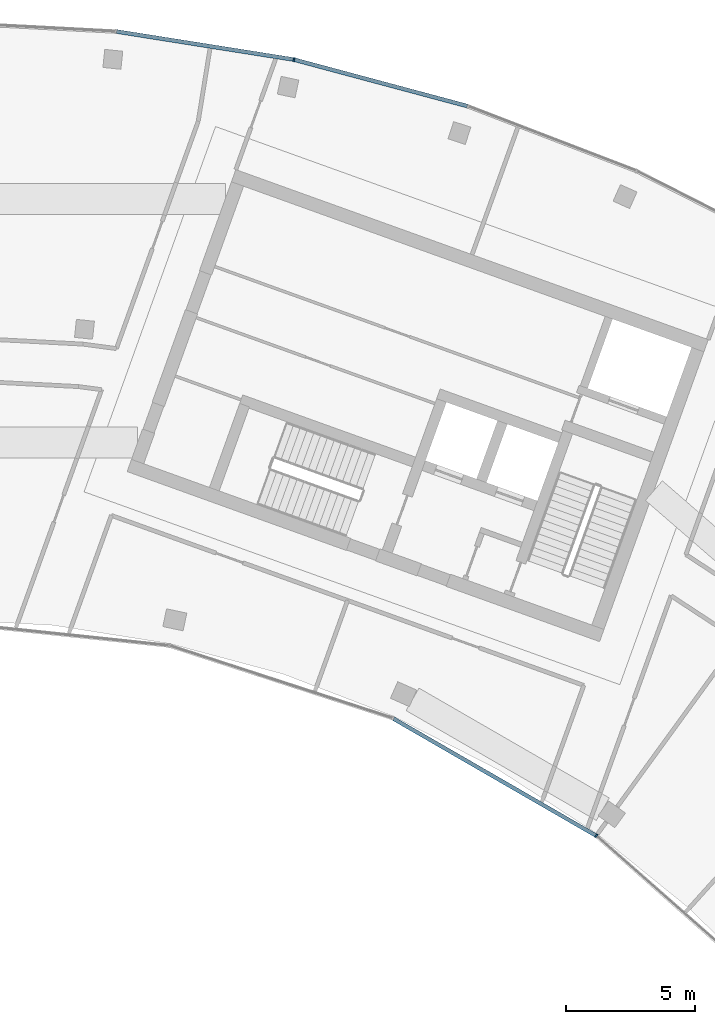
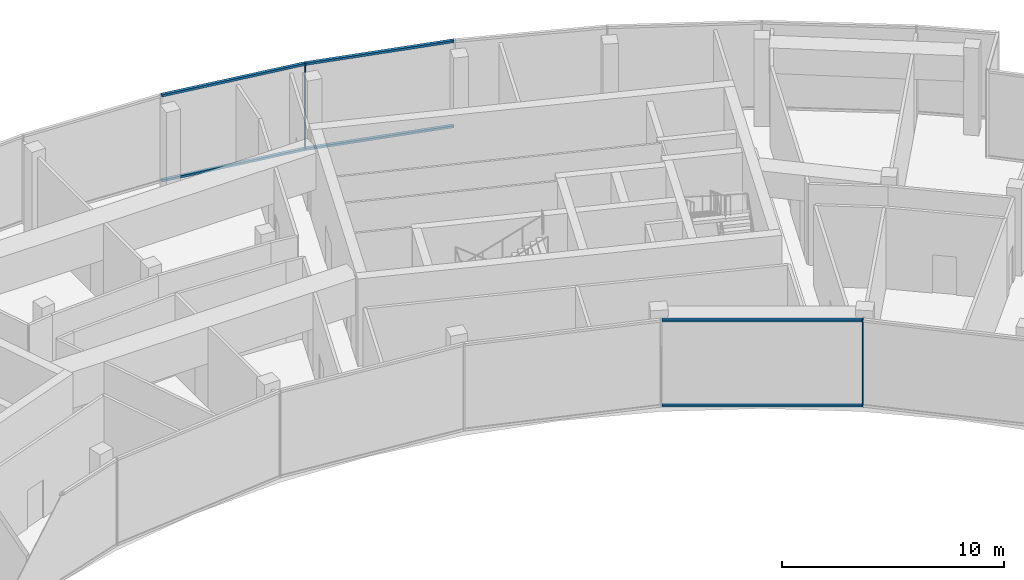
# One storey, part 8 of 17: 8 members, 2 elements without a shape of their own.
"""IFC4 building model written with IfcOpenShell, lengths in metres."""

from ifc_helpers import new_model, si_unit, direction, frame, origin, origin_2d, place, context, subcontext, project, spatial, rectangle, extrude, material, layer, layer_set, material_profile, profile_set, type_object, element, aggregate, save


model = new_model("IFC4")

# Units and contexts
model_context = context("Model", 3, precision=1e-05, world=origin(), true_north=direction((0.0, 1.0)))
body_context = subcontext(model_context, "Body", "Model", "MODEL_VIEW")
ifc_project = project(units=[si_unit("LENGTHUNIT", "METRE"), si_unit("AREAUNIT", "SQUARE_METRE"), si_unit("VOLUMEUNIT", "CUBIC_METRE"), si_unit("PLANEANGLEUNIT", "RADIAN"), si_unit("MASSUNIT", "GRAM", prefix="KILO")], contexts=[model_context])

# Site, building, storey
site_placement = place(None, origin())
site = spatial("IfcSite", under=ifc_project, at=site_placement, CompositionType="ELEMENT")
building_placement = place(site_placement, origin())
building = spatial("IfcBuilding", under=site, at=building_placement, Name="Stone Belt Terrace Tower", CompositionType="ELEMENT")
storey_placement = place(building_placement, frame((0.0, 0.0, 318.199951171875)))
storey = spatial("IfcBuildingStorey", under=building, at=storey_placement, Name="L77", CompositionType="ELEMENT", Elevation=318.199951171875)

# Curtain wall, member
ifc_material = material(Name="Aluminium 6063-T6 anodised frame", Category="aluminium")
ifc_layer = layer(ifc_material, 0.14990234375)
ifc_layer_set = layer_set([ifc_layer], Name="CW-C stick curtain wall, horn ends and notches")
curtain_wall_type = type_object("IfcCurtainWallType", Name="CW-C stick curtain wall, horn ends and notches", PredefinedType="NOTDEFINED", material=ifc_layer_set)
curtain_wall_1_placement = place(storey_placement, origin())
curtain_wall_1 = element("IfcCurtainWall", 1, at=curtain_wall_1_placement, inside=storey, type_object=curtain_wall_type, Name="CW-C concave face L77", PredefinedType="NOTDEFINED")
ifc_material_profile_1 = material_profile(ifc_material, rectangle(XDim=0.14990234375, YDim=0.06005859375, at=origin_2d()), Name="Aluminium 6063-T6 60x150")
ifc_profile_set_1 = profile_set([ifc_material_profile_1], Name="Aluminium 6063-T6 anodised frame")
member_type_1 = type_object("IfcMemberType", Name="CW-C mullion 60 x 150", PredefinedType="MULLION", material=ifc_profile_set_1)
member_1_placement = place(storey_placement, frame((25.524658203125, 35.131103515625, 0.0), z_axis=(0.0, 0.0, 1.0), x_axis=(0.583818854632, 0.811883947973, 0.0)))
member_1 = element("IfcMember", 2, at=member_1_placement, type_object=member_type_1, Name="CW-C mullion 8", PredefinedType="MULLION", context=body_context, shape_type="SweptSolid", body=[
    extrude(rectangle(XDim=0.14990234375, YDim=0.06005859375, at=origin_2d()), origin(), (0.0, 0.0, 1.0), 4.800048828125),
])

curtain_wall_2_placement = place(storey_placement, origin())
curtain_wall_2 = element("IfcCurtainWall", 3, at=curtain_wall_2_placement, inside=storey, type_object=curtain_wall_type, Name="CW-C convex face L77", PredefinedType="NOTDEFINED")
member_2_placement = place(storey_placement, frame((13.841796875, 65.120361328125, 0.0), z_axis=(0.0, 0.0, 1.0), x_axis=(-0.207911690818, -0.978147600734, 0.0)))
member_2 = element("IfcMember", 4, at=member_2_placement, type_object=member_type_1, Name="CW-C mullion 6", PredefinedType="MULLION", context=body_context, shape_type="SweptSolid", body=[
    extrude(rectangle(XDim=0.14990234375, YDim=0.06005859375, at=origin_2d()), origin(), (0.0, 0.0, 1.0), 4.800048828125),
])

# Member
ifc_material_profile_2 = material_profile(ifc_material, rectangle(XDim=0.14990234375, YDim=0.1201171875, at=origin_2d()), Name="Aluminium 6063-T6 150x120")
ifc_profile_set_2 = profile_set([ifc_material_profile_2], Name="Aluminium 6063-T6 anodised frame")
member_type_2 = type_object("IfcMemberType", Name="CW-C transom 120 x 150", PredefinedType="USERDEFINED", material=ifc_profile_set_2)
member_3_placement = place(storey_placement, frame((17.695068359375, 39.651611328125, 0.06005859375), z_axis=(0.866018510292, -0.500011939689, 0.0), x_axis=(0.500011939689, 0.866018510292, 0.0)))
member_3 = element("IfcMember", 5, at=member_3_placement, type_object=member_type_2, Name="CW-C transom 7.1", ObjectType="TRANSOM", PredefinedType="USERDEFINED", context=body_context, shape_type="SweptSolid", body=[
    extrude(rectangle(XDim=0.14990234375, YDim=0.1201171875, at=origin_2d()), origin(), (0.0, 0.0, 1.0), 9.003662109375),
])

member_4_placement = place(storey_placement, frame((17.695068359375, 39.651611328125, 4.739990234375), z_axis=(0.866018510292, -0.500011939689, 0.0), x_axis=(0.500011939689, 0.866018510292, 0.0)))
member_4 = element("IfcMember", 6, at=member_4_placement, type_object=member_type_2, Name="CW-C transom 7.2", ObjectType="TRANSOM", PredefinedType="USERDEFINED", context=body_context, shape_type="SweptSolid", body=[
    extrude(rectangle(XDim=0.14990234375, YDim=0.1201171875, at=origin_2d()), origin(), (0.0, 0.0, 1.0), 9.003662109375),
])

aggregate(curtain_wall_1, [member_1, member_3, member_4])

member_5_placement = place(storey_placement, frame((20.5400390625, 63.325439453125, 0.06005859375), z_axis=(-0.965921835863, 0.258833937117, 0.0), x_axis=(-0.258833937117, -0.965921835863, 0.0)))
member_5 = element("IfcMember", 7, at=member_5_placement, type_object=member_type_2, Name="CW-C transom 5.1", ObjectType="TRANSOM", PredefinedType="USERDEFINED", context=body_context, shape_type="SweptSolid", body=[
    extrude(rectangle(XDim=0.14990234375, YDim=0.1201171875, at=origin_2d()), origin(), (0.0, 0.0, 1.0), 6.900634765625),
])

member_6_placement = place(storey_placement, frame((20.5400390625, 63.325439453125, 4.739990234375), z_axis=(-0.965921835863, 0.258833937117, 0.0), x_axis=(-0.258833937117, -0.965921835863, 0.0)))
member_6 = element("IfcMember", 8, at=member_6_placement, type_object=member_type_2, Name="CW-C transom 5.2", ObjectType="TRANSOM", PredefinedType="USERDEFINED", context=body_context, shape_type="SweptSolid", body=[
    extrude(rectangle(XDim=0.14990234375, YDim=0.1201171875, at=origin_2d()), origin(), (0.0, 0.0, 1.0), 6.900634765625),
])

member_7_placement = place(storey_placement, frame((13.808349609375, 65.12548828125, 0.06005859375), z_axis=(-0.987687120531, 0.156442168027, 0.0), x_axis=(-0.156442168027, -0.987687120531, 0.0)))
member_7 = element("IfcMember", 9, at=member_7_placement, type_object=member_type_2, Name="CW-C transom 6.1", ObjectType="TRANSOM", PredefinedType="USERDEFINED", context=body_context, shape_type="SweptSolid", body=[
    extrude(rectangle(XDim=0.14990234375, YDim=0.1201171875, at=origin_2d()), origin(), (0.0, 0.0, 1.0), 6.90087890625),
])

member_8_placement = place(storey_placement, frame((13.808349609375, 65.12548828125, 4.739990234375), z_axis=(-0.987687120531, 0.156442168027, 0.0), x_axis=(-0.156442168027, -0.987687120531, 0.0)))
member_8 = element("IfcMember", 10, at=member_8_placement, type_object=member_type_2, Name="CW-C transom 6.2", ObjectType="TRANSOM", PredefinedType="USERDEFINED", context=body_context, shape_type="SweptSolid", body=[
    extrude(rectangle(XDim=0.14990234375, YDim=0.1201171875, at=origin_2d()), origin(), (0.0, 0.0, 1.0), 6.90087890625),
])

aggregate(curtain_wall_2, [member_2, member_5, member_6, member_7, member_8])

save(model, "model.ifc")
